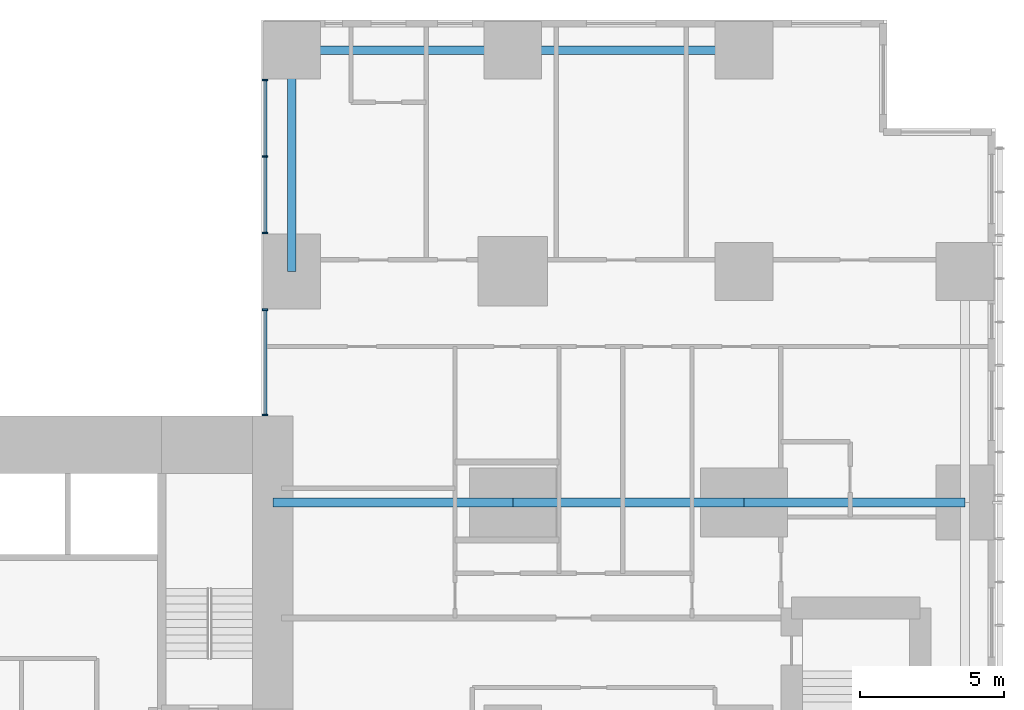
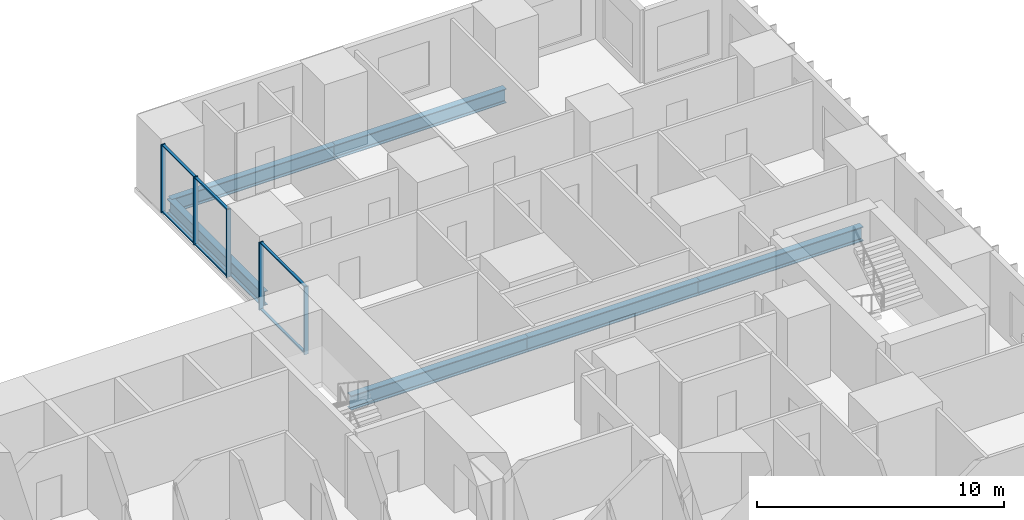
# One storey, part 5 of 21: 11 members, 6 beams, 2 elements without a shape of their own.
"""IFC4 building model written with IfcOpenShell, lengths in metres."""

from ifc_helpers import new_model, si_unit, direction, frame, origin, origin_2d, place, context, subcontext, project, spatial, rectangle, i_section, extrude, material, layer, layer_set, material_profile, profile_set, type_object, element, aggregate, save


model = new_model("IFC4")

# Units and contexts
model_context = context("Model", 3, precision=1e-05, world=origin(), true_north=direction((0.0, 1.0)))
body_context = subcontext(model_context, "Body", "Model", "MODEL_VIEW")
ifc_project = project(units=[si_unit("LENGTHUNIT", "METRE"), si_unit("AREAUNIT", "SQUARE_METRE"), si_unit("VOLUMEUNIT", "CUBIC_METRE"), si_unit("PLANEANGLEUNIT", "RADIAN"), si_unit("MASSUNIT", "GRAM", prefix="KILO")], contexts=[model_context])

# Site, building, storey
site_placement = place(None, origin())
site = spatial("IfcSite", under=ifc_project, at=site_placement, CompositionType="ELEMENT")
building_placement = place(site_placement, origin())
building = spatial("IfcBuilding", under=site, at=building_placement, Name="Cleftline Residences", CompositionType="ELEMENT")
storey_placement = place(building_placement, frame((0.0, 0.0, 125.0)))
storey = spatial("IfcBuildingStorey", under=building, at=storey_placement, Name="L32", CompositionType="ELEMENT", Elevation=125.0)

# Beams
ifc_material_1 = material(Name="Steel S355", Category="steel")
ifc_material_profile_1 = material_profile(ifc_material_1, i_section(OverallWidth=0.300048828125, OverallDepth=0.699951171875, WebThickness=0.01708984375, FlangeThickness=0.031982421875, FilletRadius=0.027099609375, at=origin_2d()))
ifc_profile_set_1 = profile_set([ifc_material_profile_1], Name="Steel S355")
beam_type_1 = type_object("IfcBeamType", Name="BEAM HEB 700", PredefinedType="BEAM", material=ifc_profile_set_1)
beam_1_placement = place(storey_placement, frame((58.0, 47.64990234375, -0.60009765625), z_axis=(-1.0, 0.0, 0.0), x_axis=(0.0, -1.0, 0.0)))
element("IfcBeam", 1, at=beam_1_placement, inside=storey, type_object=beam_type_1, Name="Edge beam", PredefinedType="BEAM", context=body_context, shape_type="SweptSolid", body=[
    extrude(i_section(OverallWidth=0.300048828125, OverallDepth=0.699951171875, WebThickness=0.01708984375, FlangeThickness=0.031982421875, FilletRadius=0.027099609375, at=origin_2d()), origin(), (0.0, 0.0, 1.0), 8.0),
])
for number, where, z_axis, x_axis, name in (
    (2, (50.0, 47.64990234375, -0.60009765625), (-1.0, 0.0, 0.0), (0.0, -1.0, 0.0), "Edge beam"),
    (3, (42.35009765625, 47.64990234375, -0.60009765625), (0.0, -1.0, 0.0), (1.0, 0.0, 0.0), "Edge beam"),
):
    element("IfcBeam", number, at=place(storey_placement, frame(where, z_axis=z_axis, x_axis=x_axis)), inside=storey, type_object=beam_type_1, Name=name, PredefinedType="BEAM", context=body_context, shape_type="SweptSolid", body=[
        extrude(i_section(OverallWidth=0.300048828125, OverallDepth=0.699951171875, WebThickness=0.01708984375, FlangeThickness=0.031982421875, FilletRadius=0.027099609375, at=origin_2d()), origin(), (0.0, 0.0, 1.0), 7.64990234375),
    ])
ifc_material_2 = material(Name="Steel S355", Category="steel")
ifc_material_profile_2 = material_profile(ifc_material_2, i_section(OverallWidth=0.303955078125, OverallDepth=0.716064453125, WebThickness=0.02099609375, FlangeThickness=0.0400390625, FilletRadius=0.027099609375, at=origin_2d()))
ifc_profile_set_2 = profile_set([ifc_material_profile_2], Name="Steel S355")
beam_type_2 = type_object("IfcBeamType", Name="BEAM HEM 700", PredefinedType="BEAM", material=ifc_profile_set_2)
beam_2_placement = place(storey_placement, frame((65.64990234375, 32.0, -0.60791015625), z_axis=(-1.0, 0.0, 0.0), x_axis=(0.0, -1.0, 0.0)))
element("IfcBeam", 4, at=beam_2_placement, inside=storey, type_object=beam_type_2, Name="Band beam", PredefinedType="BEAM", context=body_context, shape_type="SweptSolid", body=[
    extrude(i_section(OverallWidth=0.303955078125, OverallDepth=0.716064453125, WebThickness=0.02099609375, FlangeThickness=0.0400390625, FilletRadius=0.027099609375, at=origin_2d()), origin(), (0.0, 0.0, 1.0), 7.64990234375),
])
beam_3_placement = place(storey_placement, frame((58.0, 32.0, -0.60791015625), z_axis=(-1.0, 0.0, 0.0), x_axis=(0.0, -1.0, 0.0)))
element("IfcBeam", 5, at=beam_3_placement, inside=storey, type_object=beam_type_2, Name="Band beam", PredefinedType="BEAM", context=body_context, shape_type="SweptSolid", body=[
    extrude(i_section(OverallWidth=0.303955078125, OverallDepth=0.716064453125, WebThickness=0.02099609375, FlangeThickness=0.0400390625, FilletRadius=0.027099609375, at=origin_2d()), origin(), (0.0, 0.0, 1.0), 8.0),
])
beam_4_placement = place(storey_placement, frame((50.0, 32.0, -0.60791015625), z_axis=(-1.0, 0.0, 0.0), x_axis=(0.0, -1.0, 0.0)))
element("IfcBeam", 6, at=beam_4_placement, inside=storey, type_object=beam_type_2, Name="Band beam", PredefinedType="BEAM", context=body_context, shape_type="SweptSolid", body=[
    extrude(i_section(OverallWidth=0.303955078125, OverallDepth=0.716064453125, WebThickness=0.02099609375, FlangeThickness=0.0400390625, FilletRadius=0.027099609375, at=origin_2d()), origin(), (0.0, 0.0, 1.0), 8.300048828125),
])

# Curtain wall, members
ifc_material_3 = material(Name="Aluminium framed curtain wall", Category="aluminium")
ifc_layer = layer(ifc_material_3, 0.199951171875)
ifc_layer_set = layer_set([ifc_layer], Name="CW1 CLEFT GLAZING")
curtain_wall_type = type_object("IfcCurtainWallType", Name="CW1 CLEFT GLAZING", PredefinedType="NOTDEFINED", material=ifc_layer_set)
curtain_wall_1_placement = place(storey_placement, origin())
curtain_wall_1 = element("IfcCurtainWall", 7, at=curtain_wall_1_placement, inside=storey, type_object=curtain_wall_type, Name="Curtain wall CW1", PredefinedType="NOTDEFINED")
ifc_material_4 = material(Name="Aluminium mullion", Category="aluminium")
ifc_material_profile_3 = material_profile(ifc_material_4, rectangle(XDim=0.199951171875, YDim=0.06005859375, at=origin_2d()))
ifc_profile_set_3 = profile_set([ifc_material_profile_3], Name="Aluminium mullion")
member_type_1 = type_object("IfcMemberType", Name="CW1 MULLION", PredefinedType="MULLION", material=ifc_profile_set_3)
member_1_placement = place(storey_placement, frame((41.425048828125, 46.6201171875, 0.0), z_axis=(0.0, 0.0, 1.0), x_axis=(1.0, 0.0, 0.0)))
member_1 = element("IfcMember", 8, at=member_1_placement, type_object=member_type_1, Name="CW1 mullion 1", PredefinedType="MULLION", context=body_context, shape_type="SweptSolid", body=[
    extrude(rectangle(XDim=0.199951171875, YDim=0.06005859375, at=origin_2d()), origin(), (0.0, 0.0, 1.0), 3.35009765625),
])
member_2_placement = place(storey_placement, frame((41.425048828125, 43.97509765625, 0.0), z_axis=(0.0, 0.0, 1.0), x_axis=(1.0, 0.0, 0.0)))
member_2 = element("IfcMember", 9, at=member_2_placement, type_object=member_type_1, Name="CW1 mullion 2", PredefinedType="MULLION", context=body_context, shape_type="SweptSolid", body=[
    extrude(rectangle(XDim=0.199951171875, YDim=0.06005859375, at=origin_2d()), origin(), (0.0, 0.0, 1.0), 3.35009765625),
])
member_3_placement = place(storey_placement, frame((41.425048828125, 41.330078125, 0.0), z_axis=(0.0, 0.0, 1.0), x_axis=(1.0, 0.0, 0.0)))
member_3 = element("IfcMember", 10, at=member_3_placement, type_object=member_type_1, Name="CW1 mullion 3", PredefinedType="MULLION", context=body_context, shape_type="SweptSolid", body=[
    extrude(rectangle(XDim=0.199951171875, YDim=0.06005859375, at=origin_2d()), origin(), (0.0, 0.0, 1.0), 3.35009765625),
])

curtain_wall_2_placement = place(storey_placement, origin())
curtain_wall_2 = element("IfcCurtainWall", 11, at=curtain_wall_2_placement, inside=storey, type_object=curtain_wall_type, Name="Curtain wall CW1", PredefinedType="NOTDEFINED")
member_4_placement = place(storey_placement, frame((41.425048828125, 38.669921875, 0.0), z_axis=(0.0, 0.0, 1.0), x_axis=(1.0, 0.0, 0.0)))
member_4 = element("IfcMember", 12, at=member_4_placement, type_object=member_type_1, Name="CW1 mullion 1", PredefinedType="MULLION", context=body_context, shape_type="SweptSolid", body=[
    extrude(rectangle(XDim=0.199951171875, YDim=0.06005859375, at=origin_2d()), origin(), (0.0, 0.0, 1.0), 3.35009765625),
])
member_5_placement = place(storey_placement, frame((41.425048828125, 35.030029296875, 0.0), z_axis=(0.0, 0.0, 1.0), x_axis=(1.0, 0.0, 0.0)))
member_5 = element("IfcMember", 13, at=member_5_placement, type_object=member_type_1, Name="CW1 mullion 2", PredefinedType="MULLION", context=body_context, shape_type="SweptSolid", body=[
    extrude(rectangle(XDim=0.199951171875, YDim=0.06005859375, at=origin_2d()), origin(), (0.0, 0.0, 1.0), 3.35009765625),
])

# Member
ifc_material_5 = material(Name="Aluminium transom", Category="aluminium")
ifc_material_profile_4 = material_profile(ifc_material_5, rectangle(XDim=0.1201171875, YDim=0.06005859375, at=origin_2d()))
ifc_profile_set_4 = profile_set([ifc_material_profile_4], Name="Aluminium transom")
member_type_2 = type_object("IfcMemberType", Name="CW1 TRANSOM", PredefinedType="USERDEFINED", material=ifc_profile_set_4)
member_6_placement = place(storey_placement, frame((41.425048828125, 46.590087890625, 0.030029296875), z_axis=(0.0, -1.0, 0.0), x_axis=(1.0, 0.0, 0.0)))
member_6 = element("IfcMember", 14, at=member_6_placement, type_object=member_type_2, Name="CW1 transom 1.1", ObjectType="TRANSOM", PredefinedType="USERDEFINED", context=body_context, shape_type="SweptSolid", body=[
    extrude(rectangle(XDim=0.1201171875, YDim=0.06005859375, at=origin_2d()), origin(), (0.0, 0.0, 1.0), 2.585205078125),
])

member_7_placement = place(storey_placement, frame((41.425048828125, 46.590087890625, 3.320068359375), z_axis=(0.0, -1.0, 0.0), x_axis=(1.0, 0.0, 0.0)))
member_7 = element("IfcMember", 15, at=member_7_placement, type_object=member_type_2, Name="CW1 transom 1.2", ObjectType="TRANSOM", PredefinedType="USERDEFINED", context=body_context, shape_type="SweptSolid", body=[
    extrude(rectangle(XDim=0.1201171875, YDim=0.06005859375, at=origin_2d()), origin(), (0.0, 0.0, 1.0), 2.585205078125),
])

member_8_placement = place(storey_placement, frame((41.425048828125, 43.945068359375, 0.030029296875), z_axis=(0.0, -1.0, 0.0), x_axis=(1.0, 0.0, 0.0)))
member_8 = element("IfcMember", 16, at=member_8_placement, type_object=member_type_2, Name="CW1 transom 2.1", ObjectType="TRANSOM", PredefinedType="USERDEFINED", context=body_context, shape_type="SweptSolid", body=[
    extrude(rectangle(XDim=0.1201171875, YDim=0.06005859375, at=origin_2d()), origin(), (0.0, 0.0, 1.0), 2.5849609375),
])

member_9_placement = place(storey_placement, frame((41.425048828125, 43.945068359375, 3.320068359375), z_axis=(0.0, -1.0, 0.0), x_axis=(1.0, 0.0, 0.0)))
member_9 = element("IfcMember", 17, at=member_9_placement, type_object=member_type_2, Name="CW1 transom 2.2", ObjectType="TRANSOM", PredefinedType="USERDEFINED", context=body_context, shape_type="SweptSolid", body=[
    extrude(rectangle(XDim=0.1201171875, YDim=0.06005859375, at=origin_2d()), origin(), (0.0, 0.0, 1.0), 2.5849609375),
])

aggregate(curtain_wall_1, [member_1, member_2, member_3, member_6, member_7, member_8, member_9])

member_10_placement = place(storey_placement, frame((41.425048828125, 38.639892578125, 0.030029296875), z_axis=(0.0, -1.0, 0.0), x_axis=(1.0, 0.0, 0.0)))
member_10 = element("IfcMember", 18, at=member_10_placement, type_object=member_type_2, Name="CW1 transom 1.1", ObjectType="TRANSOM", PredefinedType="USERDEFINED", context=body_context, shape_type="SweptSolid", body=[
    extrude(rectangle(XDim=0.1201171875, YDim=0.06005859375, at=origin_2d()), origin(), (0.0, 0.0, 1.0), 3.579833984375),
])

member_11_placement = place(storey_placement, frame((41.425048828125, 38.639892578125, 3.320068359375), z_axis=(0.0, -1.0, 0.0), x_axis=(1.0, 0.0, 0.0)))
member_11 = element("IfcMember", 19, at=member_11_placement, type_object=member_type_2, Name="CW1 transom 1.2", ObjectType="TRANSOM", PredefinedType="USERDEFINED", context=body_context, shape_type="SweptSolid", body=[
    extrude(rectangle(XDim=0.1201171875, YDim=0.06005859375, at=origin_2d()), origin(), (0.0, 0.0, 1.0), 3.579833984375),
])

aggregate(curtain_wall_2, [member_4, member_5, member_10, member_11])

save(model, "model.ifc")
